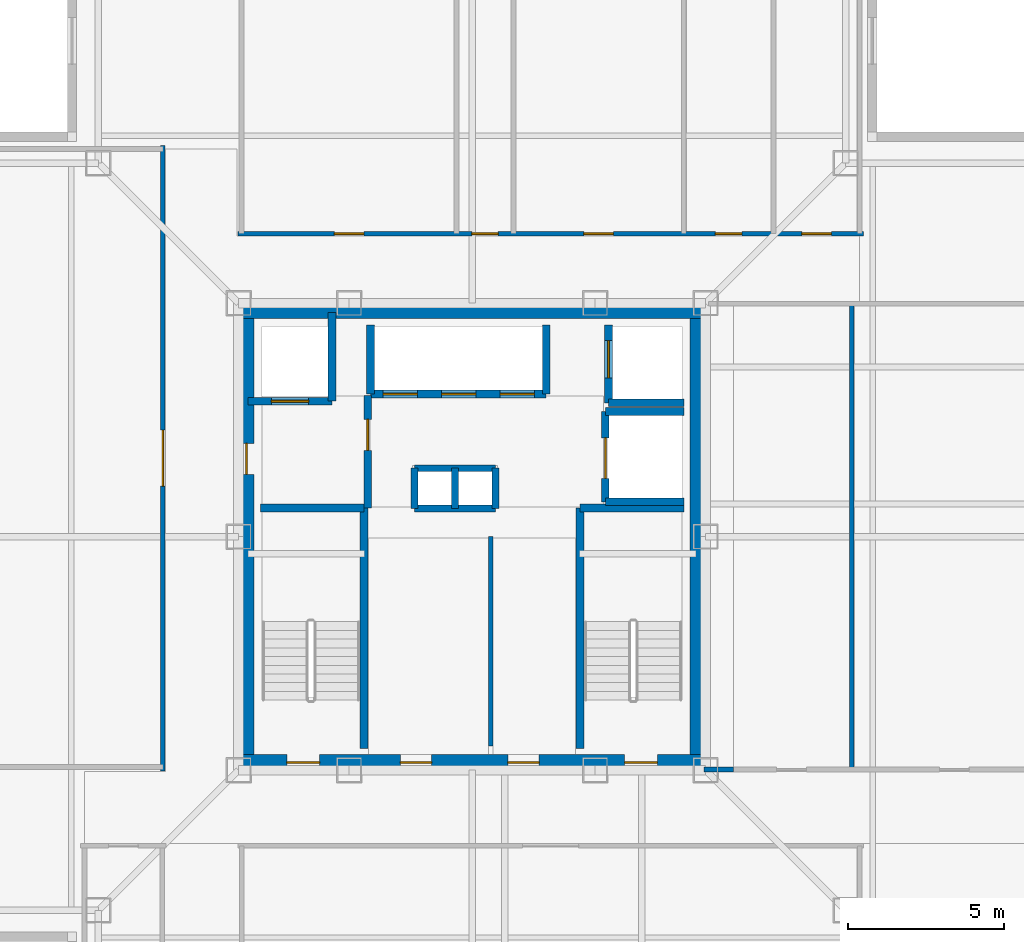
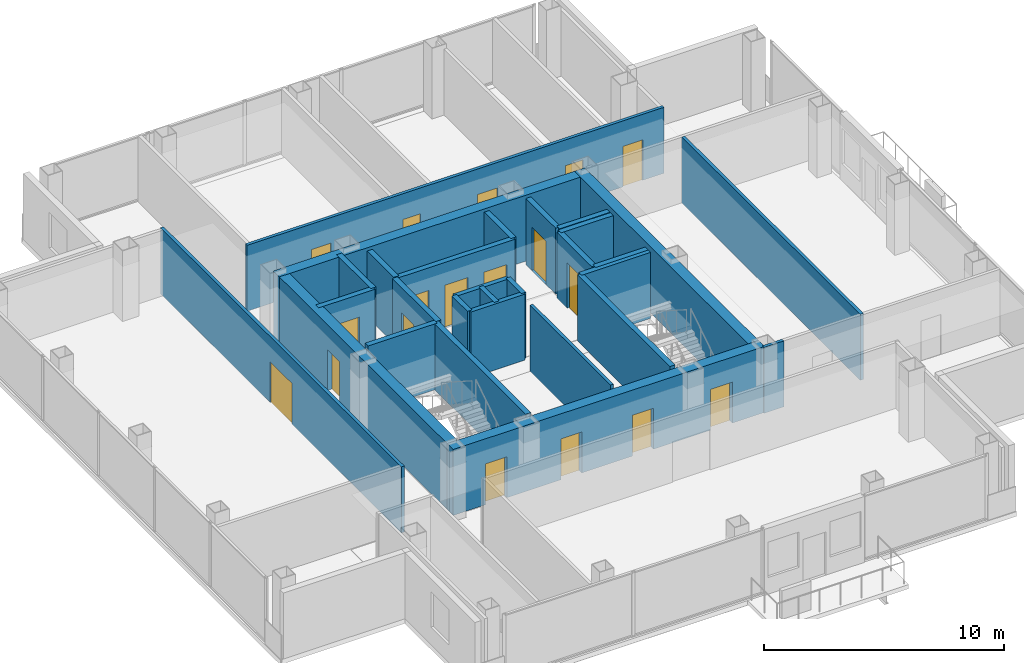
# One storey, part 8 of 15: 29 walls, 18 doors, 18 openings.
"""IFC4 building model written with IfcOpenShell, lengths in metres."""

from ifc_helpers import new_model, si_unit, direction, frame, frame_2d, origin, place, context, subcontext, project, spatial, rectangle, extrude, material, layer, layer_set, type_object, element, fill, save


model = new_model("IFC4")

# Units and contexts
model_context = context("Model", 3, precision=1e-05, world=origin(), true_north=direction((0.0, 1.0)))
body_context = subcontext(model_context, "Body", "Model", "MODEL_VIEW")
ifc_project = project(units=[si_unit("LENGTHUNIT", "METRE"), si_unit("AREAUNIT", "SQUARE_METRE"), si_unit("VOLUMEUNIT", "CUBIC_METRE"), si_unit("PLANEANGLEUNIT", "RADIAN"), si_unit("MASSUNIT", "GRAM", prefix="KILO")], contexts=[model_context])

# Site, building, storey
site_placement = place(None, origin())
site = spatial("IfcSite", under=ifc_project, at=site_placement, CompositionType="ELEMENT")
building_placement = place(site_placement, origin())
building = spatial("IfcBuilding", under=site, at=building_placement, Name="Trevonay Congress Spire", CompositionType="ELEMENT")
storey_placement = place(building_placement, frame((0.0, 0.0, 243.199951171875)))
storey = spatial("IfcBuildingStorey", under=building, at=storey_placement, Name="L63", CompositionType="ELEMENT", Elevation=243.199951171875)

# Wall, openings, doors
ifc_material_1 = material(Name="Concrete C50/60", Category="concrete")
ifc_layer_1 = layer(ifc_material_1, 0.5, Name="Concrete C50/60")
ifc_layer_set_1 = layer_set([ifc_layer_1], Name="Concrete C50/60")
wall_type_1 = type_object("IfcWallType", Name="WAL-CORE-500", PredefinedType="SHEAR", material=ifc_layer_set_1)
wall_1_placement = place(storey_placement, frame((-7.5, -7.25, 0.0), z_axis=(0.0, 0.0, 1.0), x_axis=(1.0, 0.0, 0.0)))
wall_1 = element("IfcWall", 1, at=wall_1_placement, inside=storey, type_object=wall_type_1, Name="L63 South structural core shear wall", PredefinedType="SHEAR", context=body_context, shape_type="SweptSolid", body=[
    extrude(rectangle(XDim=15.0, YDim=0.5, at=frame_2d((7.5, 0.0))), origin(), (0.0, 0.0, 1.0), 3.360107421875),
])
opening_1_placement = place(wall_1_placement, frame((1.550048828125, 0.0, 0.0)))
opening_1 = element("IfcOpeningElement", 2, at=opening_1_placement, cuts=wall_1, Name="Opening D05", PredefinedType="OPENING", context=body_context, shape_type="SweptSolid", body=[
    extrude(rectangle(XDim=1.050048828125, YDim=2.080078125, at=frame_2d((0.52490234375, 1.0400390625))), frame((0.0, 0.260009765625, 0.0), z_axis=(0.0, -1.0, 0.0), x_axis=(1.0, 0.0, 0.0)), (0.0, 0.0, 1.0), 0.52001953125),
])
opening_2_placement = place(wall_1_placement, frame((12.39990234375, 0.0, 0.0)))
opening_2 = element("IfcOpeningElement", 3, at=opening_2_placement, cuts=wall_1, Name="Opening D05", PredefinedType="OPENING", context=body_context, shape_type="SweptSolid", body=[
    extrude(rectangle(XDim=1.050048828125, YDim=2.080078125, at=frame_2d((0.52490234375, 1.0400390625))), frame((0.0, 0.260009765625, 0.0), z_axis=(0.0, -1.0, 0.0), x_axis=(1.0, 0.0, 0.0)), (0.0, 0.0, 1.0), 0.52001953125),
])
opening_3_placement = place(wall_1_placement, frame((5.199951171875, 0.0, 0.0)))
opening_3 = element("IfcOpeningElement", 4, at=opening_3_placement, cuts=wall_1, Name="Opening D06", PredefinedType="OPENING", context=body_context, shape_type="SweptSolid", body=[
    extrude(rectangle(XDim=1.0, YDim=2.080078125, at=frame_2d((0.5, 1.0400390625))), frame((0.0, 0.260009765625, 0.0), z_axis=(0.0, -1.0, 0.0), x_axis=(1.0, 0.0, 0.0)), (0.0, 0.0, 1.0), 0.52001953125),
])
opening_4_placement = place(wall_1_placement, frame((8.64990234375, 0.0, 0.0)))
opening_4 = element("IfcOpeningElement", 5, at=opening_4_placement, cuts=wall_1, Name="Opening D06", PredefinedType="OPENING", context=body_context, shape_type="SweptSolid", body=[
    extrude(rectangle(XDim=1.0, YDim=2.080078125, at=frame_2d((0.5, 1.0400390625))), frame((0.0, 0.260009765625, 0.0), z_axis=(0.0, -1.0, 0.0), x_axis=(1.0, 0.0, 0.0)), (0.0, 0.0, 1.0), 0.52001953125),
])
ifc_material_2 = material(Name="Steel ASTM A572 Grade 50", Category="steel")
door_type_1 = type_object("IfcDoorType", Name="DOR-FIRE-100", OperationType="NOTDEFINED", PredefinedType="DOOR", material=ifc_material_2)
door_1_placement = place(opening_3_placement, origin())
door_1 = element("IfcDoor", 6, at=door_1_placement, inside=storey, type_object=door_type_1, Name="L63 South Core Room 1 Door", OperationType="SINGLE_SWING_LEFT", OverallHeight=2.080078125, OverallWidth=1.0, PredefinedType="DOOR", context=body_context, shape_type="SweptSolid", body=[
    extrude(rectangle(XDim=1.0, YDim=2.080078125, at=frame_2d((0.5, 1.0400390625))), frame((0.0, 0.02490234375, 0.0), z_axis=(0.0, -1.0, 0.0), x_axis=(1.0, 0.0, 0.0)), (0.0, 0.0, 1.0), 0.050048828125),
])
fill(opening_3, door_1)
door_2_placement = place(opening_4_placement, origin())
door_2 = element("IfcDoor", 7, at=door_2_placement, inside=storey, type_object=door_type_1, Name="L63 South Core Room 2 Door", OperationType="SINGLE_SWING_RIGHT", OverallHeight=2.080078125, OverallWidth=1.0, PredefinedType="DOOR", context=body_context, shape_type="SweptSolid", body=[
    extrude(rectangle(XDim=1.0, YDim=2.080078125, at=frame_2d((0.5, 1.0400390625))), frame((0.0, 0.02490234375, 0.0), z_axis=(0.0, -1.0, 0.0), x_axis=(1.0, 0.0, 0.0)), (0.0, 0.0, 1.0), 0.050048828125),
])
fill(opening_4, door_2)
door_type_2 = type_object("IfcDoorType", Name="DOR-STAIR-110", OperationType="NOTDEFINED", PredefinedType="DOOR", material=ifc_material_2)
door_3_placement = place(opening_1_placement, origin())
door_3 = element("IfcDoor", 8, at=door_3_placement, inside=storey, type_object=door_type_2, Name="L63 Protected Stair ST-1 Door", OperationType="SINGLE_SWING_RIGHT", OverallHeight=2.080078125, OverallWidth=1.050048828125, PredefinedType="DOOR", context=body_context, shape_type="SweptSolid", body=[
    extrude(rectangle(XDim=1.050048828125, YDim=2.080078125, at=frame_2d((0.52490234375, 1.0400390625))), frame((0.0, 0.02490234375, 0.0), z_axis=(0.0, -1.0, 0.0), x_axis=(1.0, 0.0, 0.0)), (0.0, 0.0, 1.0), 0.050048828125),
])
fill(opening_1, door_3)
door_4_placement = place(opening_2_placement, origin())
door_4 = element("IfcDoor", 9, at=door_4_placement, inside=storey, type_object=door_type_2, Name="L63 Protected Stair ST-2 Door", OperationType="SINGLE_SWING_LEFT", OverallHeight=2.080078125, OverallWidth=1.050048828125, PredefinedType="DOOR", context=body_context, shape_type="SweptSolid", body=[
    extrude(rectangle(XDim=1.050048828125, YDim=2.080078125, at=frame_2d((0.52490234375, 1.0400390625))), frame((0.0, 0.02490234375, 0.0), z_axis=(0.0, -1.0, 0.0), x_axis=(1.0, 0.0, 0.0)), (0.0, 0.0, 1.0), 0.050048828125),
])
fill(opening_2, door_4)

# Wall
wall_2_placement = place(storey_placement, frame((-7.5, 7.25, 0.0), z_axis=(0.0, 0.0, 1.0), x_axis=(1.0, 0.0, 0.0)))
element("IfcWall", 10, at=wall_2_placement, inside=storey, type_object=wall_type_1, Name="L63 North structural core shear wall", PredefinedType="SHEAR", context=body_context, shape_type="SweptSolid", body=[
    extrude(rectangle(XDim=15.0, YDim=0.5, at=frame_2d((7.5, 0.0))), origin(), (0.0, 0.0, 1.0), 3.360107421875),
])

# Wall, opening, door
wall_3_placement = place(storey_placement, frame((-7.25, -7.5, 0.0), z_axis=(0.0, 0.0, 1.0), x_axis=(0.0, 1.0, 0.0)))
wall_3 = element("IfcWall", 11, at=wall_3_placement, inside=storey, type_object=wall_type_1, Name="L63 West structural core shear wall", PredefinedType="SHEAR", context=body_context, shape_type="SweptSolid", body=[
    extrude(rectangle(XDim=15.0, YDim=0.5, at=frame_2d((7.5, 0.0))), origin(), (0.0, 0.0, 1.0), 3.360107421875),
])
opening_5_placement = place(wall_3_placement, frame((9.5, 0.0, 0.0)))
opening_5 = element("IfcOpeningElement", 12, at=opening_5_placement, cuts=wall_3, Name="Opening D06", PredefinedType="OPENING", context=body_context, shape_type="SweptSolid", body=[
    extrude(rectangle(XDim=1.0, YDim=2.080078125, at=frame_2d((0.5, 1.0400390625))), frame((0.0, 0.260009765625, 0.0), z_axis=(0.0, -1.0, 0.0), x_axis=(1.0, 0.0, 0.0)), (0.0, 0.0, 1.0), 0.52001953125),
])
door_5_placement = place(opening_5_placement, origin())
door_5 = element("IfcDoor", 13, at=door_5_placement, inside=storey, type_object=door_type_1, Name="L63 Firefighting Lift Lobby West Corridor Door", OperationType="SINGLE_SWING_RIGHT", OverallHeight=2.080078125, OverallWidth=1.0, PredefinedType="DOOR", context=body_context, shape_type="SweptSolid", body=[
    extrude(rectangle(XDim=1.0, YDim=2.080078125, at=frame_2d((0.5, 1.0400390625))), frame((0.0, 0.02490234375, 0.0), z_axis=(0.0, -1.0, 0.0), x_axis=(1.0, 0.0, 0.0)), (0.0, 0.0, 1.0), 0.050048828125),
])
fill(opening_5, door_5)

# Wall
wall_4_placement = place(storey_placement, frame((7.25, -7.5, 0.0), z_axis=(0.0, 0.0, 1.0), x_axis=(0.0, 1.0, 0.0)))
element("IfcWall", 14, at=wall_4_placement, inside=storey, type_object=wall_type_1, Name="L63 East structural core shear wall", PredefinedType="SHEAR", context=body_context, shape_type="SweptSolid", body=[
    extrude(rectangle(XDim=15.0, YDim=0.5, at=frame_2d((7.5, 0.0))), origin(), (0.0, 0.0, 1.0), 3.360107421875),
])

# Wall, opening, door
ifc_material_3 = material(Name="Concrete C40/50", Category="concrete")
ifc_layer_2 = layer(ifc_material_3, 0.14990234375, Name="Concrete C40/50")
ifc_layer_set_2 = layer_set([ifc_layer_2], Name="Concrete C40/50")
wall_type_2 = type_object("IfcWallType", Name="WAL-CORR-150", PredefinedType="PARTITIONING", material=ifc_layer_set_2)
wall_5_placement = place(storey_placement, frame((-9.929931640625, -7.52001953125, 0.0), z_axis=(0.0, 0.0, 1.0), x_axis=(0.0, 1.0, 0.0)))
wall_5 = element("IfcWall", 15, at=wall_5_placement, inside=storey, type_object=wall_type_2, Name="L63 interior wall WP-L63NW-COR", PredefinedType="PARTITIONING", context=body_context, shape_type="SweptSolid", body=[
    extrude(rectangle(XDim=20.090087890625, YDim=0.14990234375, at=frame_2d((10.044921875, 0.0))), origin(), (0.0, 0.0, 1.0), 3.360107421875),
])
opening_6_placement = place(wall_5_placement, frame((9.14501953125, 0.0, 0.0)))
opening_6 = element("IfcOpeningElement", 16, at=opening_6_placement, cuts=wall_5, Name="Opening D09", PredefinedType="OPENING", context=body_context, shape_type="SweptSolid", body=[
    extrude(rectangle(XDim=1.800048828125, YDim=2.080078125, at=frame_2d((0.89990234375, 1.0400390625))), frame((0.0, 0.0849609375, 0.0), z_axis=(0.0, -1.0, 0.0), x_axis=(1.0, 0.0, 0.0)), (0.0, 0.0, 1.0), 0.169921875),
])
ifc_material_4 = material(Name="Pale Anodised Aluminium EN AW-6063-T6", Category="aluminium")
door_type_3 = type_object("IfcDoorType", Name="DOR-CONF-DBL", OperationType="DOUBLE_DOOR_SINGLE_SWING", PredefinedType="DOOR", material=ifc_material_4)
door_6_placement = place(opening_6_placement, origin())
door_6 = element("IfcDoor", 17, at=door_6_placement, inside=storey, type_object=door_type_3, Name="L63 Mercosur Ministerial Council Chamber Door", OperationType="DOUBLE_DOOR_SINGLE_SWING", OverallHeight=2.080078125, OverallWidth=1.800048828125, PredefinedType="DOOR", context=body_context, shape_type="SweptSolid", body=[
    extrude(rectangle(XDim=1.800048828125, YDim=2.080078125, at=frame_2d((0.89990234375, 1.0400390625))), frame((0.0, 0.02490234375, 0.0), z_axis=(0.0, -1.0, 0.0), x_axis=(1.0, 0.0, 0.0)), (0.0, 0.0, 1.0), 0.050048828125),
])
fill(opening_6, door_6)

# Wall, openings, doors
wall_6_placement = place(storey_placement, frame((-7.52001953125, 9.72998046875, 0.0), z_axis=(0.0, 0.0, 1.0), x_axis=(1.0, 0.0, 0.0)))
wall_6 = element("IfcWall", 18, at=wall_6_placement, inside=storey, type_object=wall_type_2, Name="L63 interior wall WP-L63N-COR", PredefinedType="PARTITIONING", context=body_context, shape_type="SweptSolid", body=[
    extrude(rectangle(XDim=20.090087890625, YDim=0.14990234375, at=frame_2d((10.044921875, 0.0))), origin(), (0.0, 0.0, 1.0), 3.360107421875),
])
opening_7_placement = place(wall_6_placement, frame((3.094970703125, 0.0, 0.0)))
opening_7 = element("IfcOpeningElement", 19, at=opening_7_placement, cuts=wall_6, Name="Opening D07", PredefinedType="OPENING", context=body_context, shape_type="SweptSolid", body=[
    extrude(rectangle(XDim=0.949951171875, YDim=2.06005859375, at=frame_2d((0.47509765625, 1.030029296875))), frame((0.0, 0.0849609375, 0.0), z_axis=(0.0, -1.0, 0.0), x_axis=(1.0, 0.0, 0.0)), (0.0, 0.0, 1.0), 0.169921875),
])
opening_8_placement = place(wall_6_placement, frame((7.510009765625, 0.0, 0.0)))
opening_8 = element("IfcOpeningElement", 20, at=opening_8_placement, cuts=wall_6, Name="Opening D10", PredefinedType="OPENING", context=body_context, shape_type="SweptSolid", body=[
    extrude(rectangle(XDim=0.85009765625, YDim=2.050048828125, at=frame_2d((0.425048828125, 1.02490234375))), frame((0.0, 0.0849609375, 0.0), z_axis=(0.0, -1.0, 0.0), x_axis=(1.0, 0.0, 0.0)), (0.0, 0.0, 1.0), 0.169921875),
])
opening_9_placement = place(wall_6_placement, frame((11.110107421875, 0.0, 0.0)))
opening_9 = element("IfcOpeningElement", 21, at=opening_9_placement, cuts=wall_6, Name="Opening D07", PredefinedType="OPENING", context=body_context, shape_type="SweptSolid", body=[
    extrude(rectangle(XDim=0.949951171875, YDim=2.06005859375, at=frame_2d((0.47509765625, 1.030029296875))), frame((0.0, 0.0849609375, 0.0), z_axis=(0.0, -1.0, 0.0), x_axis=(1.0, 0.0, 0.0)), (0.0, 0.0, 1.0), 0.169921875),
])
opening_10_placement = place(wall_6_placement, frame((15.3349609375, 0.0, 0.0)))
opening_10 = element("IfcOpeningElement", 22, at=opening_10_placement, cuts=wall_6, Name="Opening D10", PredefinedType="OPENING", context=body_context, shape_type="SweptSolid", body=[
    extrude(rectangle(XDim=0.85009765625, YDim=2.050048828125, at=frame_2d((0.425048828125, 1.02490234375))), frame((0.0, 0.0849609375, 0.0), z_axis=(0.0, -1.0, 0.0), x_axis=(1.0, 0.0, 0.0)), (0.0, 0.0, 1.0), 0.169921875),
])
opening_11_placement = place(wall_6_placement, frame((18.110107421875, 0.0, 0.0)))
opening_11 = element("IfcOpeningElement", 23, at=opening_11_placement, cuts=wall_6, Name="Opening D07", PredefinedType="OPENING", context=body_context, shape_type="SweptSolid", body=[
    extrude(rectangle(XDim=0.949951171875, YDim=2.06005859375, at=frame_2d((0.47509765625, 1.030029296875))), frame((0.0, 0.0849609375, 0.0), z_axis=(0.0, -1.0, 0.0), x_axis=(1.0, 0.0, 0.0)), (0.0, 0.0, 1.0), 0.169921875),
])
door_type_4 = type_object("IfcDoorType", Name="DOR-OFFICE-95", OperationType="NOTDEFINED", PredefinedType="DOOR", material=ifc_material_4)
door_7_placement = place(opening_7_placement, origin())
door_7 = element("IfcDoor", 24, at=door_7_placement, inside=storey, type_object=door_type_4, Name="L63 Simultaneous Translation Office Door", OperationType="SINGLE_SWING_LEFT", OverallHeight=2.06005859375, OverallWidth=0.949951171875, PredefinedType="DOOR", context=body_context, shape_type="SweptSolid", body=[
    extrude(rectangle(XDim=0.949951171875, YDim=2.06005859375, at=frame_2d((0.47509765625, 1.030029296875))), frame((0.0, 0.02490234375, 0.0), z_axis=(0.0, -1.0, 0.0), x_axis=(1.0, 0.0, 0.0)), (0.0, 0.0, 1.0), 0.050048828125),
])
fill(opening_7, door_7)
door_8_placement = place(opening_9_placement, origin())
door_8 = element("IfcDoor", 25, at=door_8_placement, inside=storey, type_object=door_type_4, Name="L63 Floor Supplies and Copy Room Door", OperationType="SINGLE_SWING_LEFT", OverallHeight=2.06005859375, OverallWidth=0.949951171875, PredefinedType="DOOR", context=body_context, shape_type="SweptSolid", body=[
    extrude(rectangle(XDim=0.949951171875, YDim=2.06005859375, at=frame_2d((0.47509765625, 1.030029296875))), frame((0.0, 0.02490234375, 0.0), z_axis=(0.0, -1.0, 0.0), x_axis=(1.0, 0.0, 0.0)), (0.0, 0.0, 1.0), 0.050048828125),
])
fill(opening_9, door_8)
door_9_placement = place(opening_11_placement, origin())
door_9 = element("IfcDoor", 26, at=door_9_placement, inside=storey, type_object=door_type_4, Name="L63 Floor Supplies and Copy Room Door", OperationType="SINGLE_SWING_LEFT", OverallHeight=2.06005859375, OverallWidth=0.949951171875, PredefinedType="DOOR", context=body_context, shape_type="SweptSolid", body=[
    extrude(rectangle(XDim=0.949951171875, YDim=2.06005859375, at=frame_2d((0.47509765625, 1.030029296875))), frame((0.0, 0.02490234375, 0.0), z_axis=(0.0, -1.0, 0.0), x_axis=(1.0, 0.0, 0.0)), (0.0, 0.0, 1.0), 0.050048828125),
])
fill(opening_11, door_9)
door_type_5 = type_object("IfcDoorType", Name="DOR-WC-85", OperationType="NOTDEFINED", PredefinedType="DOOR", material=ifc_material_4)
door_10_placement = place(opening_8_placement, origin())
door_10 = element("IfcDoor", 27, at=door_10_placement, inside=storey, type_object=door_type_5, Name="L63 Accessible WC Door", OperationType="SINGLE_SWING_RIGHT", OverallHeight=2.050048828125, OverallWidth=0.85009765625, PredefinedType="DOOR", context=body_context, shape_type="SweptSolid", body=[
    extrude(rectangle(XDim=0.85009765625, YDim=2.050048828125, at=frame_2d((0.425048828125, 1.02490234375))), frame((0.0, 0.02490234375, 0.0), z_axis=(0.0, -1.0, 0.0), x_axis=(1.0, 0.0, 0.0)), (0.0, 0.0, 1.0), 0.050048828125),
])
fill(opening_8, door_10)
door_11_placement = place(opening_10_placement, origin())
door_11 = element("IfcDoor", 28, at=door_11_placement, inside=storey, type_object=door_type_5, Name="L63 Female Restroom WC Door", OperationType="SINGLE_SWING_RIGHT", OverallHeight=2.050048828125, OverallWidth=0.85009765625, PredefinedType="DOOR", context=body_context, shape_type="SweptSolid", body=[
    extrude(rectangle(XDim=0.85009765625, YDim=2.050048828125, at=frame_2d((0.425048828125, 1.02490234375))), frame((0.0, 0.02490234375, 0.0), z_axis=(0.0, -1.0, 0.0), x_axis=(1.0, 0.0, 0.0)), (0.0, 0.0, 1.0), 0.050048828125),
])
fill(opening_10, door_11)

# Walls
wall_7_placement = place(storey_placement, frame((7.449951171875, -7.47998046875, 0.0), z_axis=(0.0, 0.0, 1.0), x_axis=(1.0, 0.0, 0.0)))
element("IfcWall", 29, at=wall_7_placement, inside=storey, type_object=wall_type_2, Name="L63 interior wall WP-L63E-STUB", PredefinedType="PARTITIONING", context=body_context, shape_type="SweptSolid", body=[
    extrude(rectangle(XDim=0.949951171875, YDim=0.14990234375, at=frame_2d((0.47509765625, 0.0))), origin(), (0.0, 0.0, 1.0), 3.360107421875),
])
ifc_layer_3 = layer(ifc_material_3, 0.14990234375, Name="Concrete C40/50")
ifc_layer_set_3 = layer_set([ifc_layer_3], Name="Concrete C40/50")
wall_type_3 = type_object("IfcWallType", Name="WAL-PART-150", PredefinedType="PARTITIONING", material=ifc_layer_set_3)
wall_8_placement = place(storey_placement, frame((0.60009765625, -6.719970703125, 0.0), z_axis=(0.0, 0.0, 1.0), x_axis=(0.0, 1.0, 0.0)))
element("IfcWall", 30, at=wall_8_placement, inside=storey, type_object=wall_type_3, Name="L63 interior wall CW-F1V-L63", PredefinedType="PARTITIONING", context=body_context, shape_type="SweptSolid", body=[
    extrude(rectangle(XDim=6.719970703125, YDim=0.14990234375, at=frame_2d((3.35986328125, 0.0))), origin(), (0.0, 0.0, 1.0), 3.360107421875),
])
wall_9_placement = place(storey_placement, frame((12.199951171875, -7.47998046875, 0.0), z_axis=(0.0, 0.0, 1.0), x_axis=(0.0, 1.0, 0.0)))
element("IfcWall", 31, at=wall_9_placement, inside=storey, type_object=wall_type_3, Name="L63 interior wall WP-L63E-DIV1", PredefinedType="PARTITIONING", context=body_context, shape_type="SweptSolid", body=[
    extrude(rectangle(XDim=14.89990234375, YDim=0.14990234375, at=frame_2d((7.449951171875, 0.0))), origin(), (0.0, 0.0, 1.0), 3.360107421875),
])
ifc_layer_4 = layer(ifc_material_3, 0.219970703125, Name="Concrete C40/50")
ifc_layer_set_4 = layer_set([ifc_layer_4], Name="Concrete C40/50")
wall_type_4 = type_object("IfcWallType", Name="WAL-SHAFT-220", PredefinedType="PARTITIONING", material=ifc_layer_set_4)
for number, where, z_axis, x_axis, name in (
    (32, (-1.85009765625, 2.199951171875, 0.0), (0.0, 0.0, 1.0), (1.0, 0.0, 0.0), "L63 interior shaft wall WSH-L63-RSR-N"),
    (33, (-1.85009765625, 0.89990234375, 0.0), (0.0, 0.0, 1.0), (1.0, 0.0, 0.0), "L63 interior shaft wall WSH-L63-RSR-S"),
):
    element("IfcWall", number, at=place(storey_placement, frame(where, z_axis=z_axis, x_axis=x_axis)), inside=storey, type_object=wall_type_4, Name=name, PredefinedType="PARTITIONING", context=body_context, shape_type="SweptSolid", body=[
        extrude(rectangle(XDim=2.60009765625, YDim=0.219970703125, at=frame_2d((1.300048828125, 0.0))), origin(), (0.0, 0.0, 1.0), 3.360107421875),
    ])
for number, where, z_axis, x_axis, name in (
    (34, (-0.550048828125, 0.89990234375, 0.0), (0.0, 0.0, 1.0), (0.0, 1.0, 0.0), "L63 interior shaft wall WSH-L63-RSR-M"),
    (35, (0.75, 0.89990234375, 0.0), (0.0, 0.0, 1.0), (0.0, 1.0, 0.0), "L63 interior shaft wall WSH-L63-RSR-E"),
    (36, (-1.85009765625, 0.89990234375, 0.0), (0.0, 0.0, 1.0), (0.0, 1.0, 0.0), "L63 interior shaft wall WSH-L63-RSR-W"),
):
    element("IfcWall", number, at=place(storey_placement, frame(where, z_axis=z_axis, x_axis=x_axis)), inside=storey, type_object=wall_type_4, Name=name, PredefinedType="PARTITIONING", context=body_context, shape_type="SweptSolid", body=[
        extrude(rectangle(XDim=1.300048828125, YDim=0.219970703125, at=frame_2d((0.64990234375, 0.0))), origin(), (0.0, 0.0, 1.0), 3.360107421875),
    ])

# Wall, openings, doors
ifc_layer_5 = layer(ifc_material_3, 0.25, Name="Concrete C40/50")
ifc_layer_set_5 = layer_set([ifc_layer_5], Name="Concrete C40/50")
wall_type_5 = type_object("IfcWallType", Name="WAL-SHAFT-250", PredefinedType="SHEAR", material=ifc_layer_set_5)
wall_10_placement = place(storey_placement, frame((-3.260009765625, 4.580078125, 0.0), z_axis=(0.0, 0.0, 1.0), x_axis=(1.0, 0.0, 0.0)))
wall_10 = element("IfcWall", 37, at=wall_10_placement, inside=storey, type_object=wall_type_5, Name="L63 interior shaft wall WSH-L63-B3-S", PredefinedType="SHEAR", context=body_context, shape_type="SweptSolid", body=[
    extrude(rectangle(XDim=5.639892578125, YDim=0.25, at=frame_2d((2.81982421875, 0.0))), origin(), (0.0, 0.0, 1.0), 3.360107421875),
])
opening_12_placement = place(wall_10_placement, frame((0.39990234375, 0.0, 0.0)))
opening_12 = element("IfcOpeningElement", 38, at=opening_12_placement, cuts=wall_10, Name="Opening LD03", PredefinedType="OPENING", context=body_context, shape_type="SweptSolid", body=[
    extrude(rectangle(XDim=1.10009765625, YDim=2.199951171875, at=frame_2d((0.550048828125, 1.10009765625))), frame((0.0, 0.135009765625, 0.0), z_axis=(0.0, -1.0, 0.0), x_axis=(1.0, 0.0, 0.0)), (0.0, 0.0, 1.0), 0.27001953125),
])
opening_13_placement = place(wall_10_placement, frame((2.280029296875, 0.0, 0.0)))
opening_13 = element("IfcOpeningElement", 39, at=opening_13_placement, cuts=wall_10, Name="Opening LD03", PredefinedType="OPENING", context=body_context, shape_type="SweptSolid", body=[
    extrude(rectangle(XDim=1.10009765625, YDim=2.199951171875, at=frame_2d((0.550048828125, 1.10009765625))), frame((0.0, 0.135009765625, 0.0), z_axis=(0.0, -1.0, 0.0), x_axis=(1.0, 0.0, 0.0)), (0.0, 0.0, 1.0), 0.27001953125),
])
opening_14_placement = place(wall_10_placement, frame((4.159912109375, 0.0, 0.0)))
opening_14 = element("IfcOpeningElement", 40, at=opening_14_placement, cuts=wall_10, Name="Opening LD03", PredefinedType="OPENING", context=body_context, shape_type="SweptSolid", body=[
    extrude(rectangle(XDim=1.10009765625, YDim=2.199951171875, at=frame_2d((0.550048828125, 1.10009765625))), frame((0.0, 0.135009765625, 0.0), z_axis=(0.0, -1.0, 0.0), x_axis=(1.0, 0.0, 0.0)), (0.0, 0.0, 1.0), 0.27001953125),
])
door_type_6 = type_object("IfcDoorType", Name="DOR-LIFT-LD03", OperationType="DOUBLE_DOOR_SLIDING", PredefinedType="DOOR", material=ifc_material_4)
door_12_placement = place(opening_12_placement, origin())
door_12 = element("IfcDoor", 41, at=door_12_placement, inside=storey, type_object=door_type_6, Name="L63 Passenger lift PL-07 landing door", OperationType="DOUBLE_DOOR_SLIDING", OverallHeight=2.199951171875, OverallWidth=1.10009765625, PredefinedType="DOOR", context=body_context, shape_type="SweptSolid", body=[
    extrude(rectangle(XDim=1.10009765625, YDim=2.199951171875, at=frame_2d((0.550048828125, 1.10009765625))), frame((0.0, 0.02490234375, 0.0), z_axis=(0.0, -1.0, 0.0), x_axis=(1.0, 0.0, 0.0)), (0.0, 0.0, 1.0), 0.050048828125),
])
fill(opening_12, door_12)
door_13_placement = place(opening_13_placement, origin())
door_13 = element("IfcDoor", 42, at=door_13_placement, inside=storey, type_object=door_type_6, Name="L63 Passenger lift PL-08 landing door", OperationType="DOUBLE_DOOR_SLIDING", OverallHeight=2.199951171875, OverallWidth=1.10009765625, PredefinedType="DOOR", context=body_context, shape_type="SweptSolid", body=[
    extrude(rectangle(XDim=1.10009765625, YDim=2.199951171875, at=frame_2d((0.550048828125, 1.10009765625))), frame((0.0, 0.02490234375, 0.0), z_axis=(0.0, -1.0, 0.0), x_axis=(1.0, 0.0, 0.0)), (0.0, 0.0, 1.0), 0.050048828125),
])
fill(opening_13, door_13)
door_14_placement = place(opening_14_placement, origin())
door_14 = element("IfcDoor", 43, at=door_14_placement, inside=storey, type_object=door_type_6, Name="L63 Passenger lift PL-09 landing door", OperationType="DOUBLE_DOOR_SLIDING", OverallHeight=2.199951171875, OverallWidth=1.10009765625, PredefinedType="DOOR", context=body_context, shape_type="SweptSolid", body=[
    extrude(rectangle(XDim=1.10009765625, YDim=2.199951171875, at=frame_2d((0.550048828125, 1.10009765625))), frame((0.0, 0.02490234375, 0.0), z_axis=(0.0, -1.0, 0.0), x_axis=(1.0, 0.0, 0.0)), (0.0, 0.0, 1.0), 0.050048828125),
])
fill(opening_14, door_14)

# Walls
for number, where, z_axis, x_axis, name in (
    (44, (-3.260009765625, 4.580078125, 0.0), (0.0, 0.0, 1.0), (0.0, 1.0, 0.0), "L63 interior shaft wall WSH-L63-B3-W"),
    (45, (2.3798828125, 4.580078125, 0.0), (0.0, 0.0, 1.0), (0.0, 1.0, 0.0), "L63 interior shaft wall WSH-L63-B3-E"),
):
    element("IfcWall", number, at=place(storey_placement, frame(where, z_axis=z_axis, x_axis=x_axis)), inside=storey, type_object=wall_type_5, Name=name, PredefinedType="SHEAR", context=body_context, shape_type="SweptSolid", body=[
        extrude(rectangle(XDim=2.219970703125, YDim=0.25, at=frame_2d((1.10986328125, 0.0))), origin(), (0.0, 0.0, 1.0), 3.360107421875),
    ])

# Wall, opening, door
wall_11_placement = place(storey_placement, frame((-7.199951171875, 4.35009765625, 0.0), z_axis=(0.0, 0.0, 1.0), x_axis=(1.0, 0.0, 0.0)))
wall_11 = element("IfcWall", 46, at=wall_11_placement, inside=storey, type_object=wall_type_5, Name="L63 interior shaft wall WSH-L63-FF1-S", PredefinedType="SHEAR", context=body_context, shape_type="SweptSolid", body=[
    extrude(rectangle(XDim=2.699951171875, YDim=0.25, at=frame_2d((1.35009765625, 0.0))), origin(), (0.0, 0.0, 1.0), 3.360107421875),
])
opening_15_placement = place(wall_11_placement, frame((0.75, 0.0, 0.0)))
opening_15 = element("IfcOpeningElement", 47, at=opening_15_placement, cuts=wall_11, Name="Opening LD04", PredefinedType="OPENING", context=body_context, shape_type="SweptSolid", body=[
    extrude(rectangle(XDim=1.199951171875, YDim=2.199951171875, at=frame_2d((0.60009765625, 1.10009765625))), frame((0.0, 0.135009765625, 0.0), z_axis=(0.0, -1.0, 0.0), x_axis=(1.0, 0.0, 0.0)), (0.0, 0.0, 1.0), 0.27001953125),
])
door_type_7 = type_object("IfcDoorType", Name="DOR-LIFT-LD04", OperationType="DOUBLE_DOOR_SLIDING", PredefinedType="DOOR", material=ifc_material_2)
door_15_placement = place(opening_15_placement, origin())
door_15 = element("IfcDoor", 48, at=door_15_placement, inside=storey, type_object=door_type_7, Name="L63 Firefighting lift FFL-01 landing door", OperationType="DOUBLE_DOOR_SLIDING", OverallHeight=2.199951171875, OverallWidth=1.199951171875, PredefinedType="DOOR", context=body_context, shape_type="SweptSolid", body=[
    extrude(rectangle(XDim=1.199951171875, YDim=2.199951171875, at=frame_2d((0.60009765625, 1.10009765625))), frame((0.0, 0.02490234375, 0.0), z_axis=(0.0, -1.0, 0.0), x_axis=(1.0, 0.0, 0.0)), (0.0, 0.0, 1.0), 0.050048828125),
])
fill(opening_15, door_15)

# Walls
wall_12_placement = place(storey_placement, frame((-4.5, 4.35009765625, 0.0), z_axis=(0.0, 0.0, 1.0), x_axis=(0.0, 1.0, 0.0)))
element("IfcWall", 49, at=wall_12_placement, inside=storey, type_object=wall_type_5, Name="L63 interior shaft wall WSH-L63-FF1-E", PredefinedType="SHEAR", context=body_context, shape_type="SweptSolid", body=[
    extrude(rectangle(XDim=2.849853515625, YDim=0.25, at=frame_2d((1.4248046875, 0.0))), origin(), (0.0, 0.0, 1.0), 3.360107421875),
])
wall_13_placement = place(storey_placement, frame((4.3798828125, 4.300048828125, 0.0), z_axis=(0.0, 0.0, 1.0), x_axis=(1.0, 0.0, 0.0)))
element("IfcWall", 50, at=wall_13_placement, inside=storey, type_object=wall_type_5, Name="L63 interior shaft wall WSH-L63-FF2-S", PredefinedType="SHEAR", context=body_context, shape_type="SweptSolid", body=[
    extrude(rectangle(XDim=2.420166015625, YDim=0.25, at=frame_2d((1.2099609375, 0.0))), origin(), (0.0, 0.0, 1.0), 3.360107421875),
])

# Wall, opening, door
wall_14_placement = place(storey_placement, frame((4.3798828125, 4.300048828125, 0.0), z_axis=(0.0, 0.0, 1.0), x_axis=(0.0, 1.0, 0.0)))
wall_14 = element("IfcWall", 51, at=wall_14_placement, inside=storey, type_object=wall_type_5, Name="L63 interior shaft wall WSH-L63-FF2-W", PredefinedType="SHEAR", context=body_context, shape_type="SweptSolid", body=[
    extrude(rectangle(XDim=2.5, YDim=0.25, at=frame_2d((1.25, 0.0))), origin(), (0.0, 0.0, 1.0), 3.360107421875),
])
opening_16_placement = place(wall_14_placement, frame((0.800048828125, 0.0, 0.0)))
opening_16 = element("IfcOpeningElement", 52, at=opening_16_placement, cuts=wall_14, Name="Opening LD04", PredefinedType="OPENING", context=body_context, shape_type="SweptSolid", body=[
    extrude(rectangle(XDim=1.199951171875, YDim=2.199951171875, at=frame_2d((0.60009765625, 1.10009765625))), frame((0.0, 0.135009765625, 0.0), z_axis=(0.0, -1.0, 0.0), x_axis=(1.0, 0.0, 0.0)), (0.0, 0.0, 1.0), 0.27001953125),
])
door_16_placement = place(opening_16_placement, origin())
door_16 = element("IfcDoor", 53, at=door_16_placement, inside=storey, type_object=door_type_7, Name="L63 Firefighting lift FFL-02 landing door", OperationType="DOUBLE_DOOR_SLIDING", OverallHeight=2.199951171875, OverallWidth=1.199951171875, PredefinedType="DOOR", context=body_context, shape_type="SweptSolid", body=[
    extrude(rectangle(XDim=1.199951171875, YDim=2.199951171875, at=frame_2d((0.60009765625, 1.10009765625))), frame((0.0, 0.02490234375, 0.0), z_axis=(0.0, -1.0, 0.0), x_axis=(1.0, 0.0, 0.0)), (0.0, 0.0, 1.0), 0.050048828125),
])
fill(opening_16, door_16)

wall_15_placement = place(storey_placement, frame((4.280029296875, 1.1201171875, 0.0), z_axis=(0.0, 0.0, 1.0), x_axis=(0.0, 1.0, 0.0)))
wall_15 = element("IfcWall", 54, at=wall_15_placement, inside=storey, type_object=wall_type_5, Name="L63 interior shaft wall WSH-L63-SV-W", PredefinedType="SHEAR", context=body_context, shape_type="SweptSolid", body=[
    extrude(rectangle(XDim=2.89990234375, YDim=0.25, at=frame_2d((1.449951171875, 0.0))), origin(), (0.0, 0.0, 1.0), 3.360107421875),
])
opening_17_placement = place(wall_15_placement, frame((0.75, 0.0, 0.0)))
opening_17 = element("IfcOpeningElement", 55, at=opening_17_placement, cuts=wall_15, Name="Opening LD05", PredefinedType="OPENING", context=body_context, shape_type="SweptSolid", body=[
    extrude(rectangle(XDim=1.300048828125, YDim=2.300048828125, at=frame_2d((0.64990234375, 1.14990234375))), frame((0.0, 0.135009765625, 0.0), z_axis=(0.0, -1.0, 0.0), x_axis=(1.0, 0.0, 0.0)), (0.0, 0.0, 1.0), 0.27001953125),
])
door_type_8 = type_object("IfcDoorType", Name="DOR-LIFT-LD05", OperationType="DOUBLE_DOOR_SLIDING", PredefinedType="DOOR", material=ifc_material_2)
door_17_placement = place(opening_17_placement, origin())
door_17 = element("IfcDoor", 56, at=door_17_placement, inside=storey, type_object=door_type_8, Name="L63 Goods lift SVL-01 landing door", OperationType="DOUBLE_DOOR_SLIDING", OverallHeight=2.300048828125, OverallWidth=1.300048828125, PredefinedType="DOOR", context=body_context, shape_type="SweptSolid", body=[
    extrude(rectangle(XDim=1.300048828125, YDim=2.300048828125, at=frame_2d((0.64990234375, 1.14990234375))), frame((0.0, 0.02490234375, 0.0), z_axis=(0.0, -1.0, 0.0), x_axis=(1.0, 0.0, 0.0)), (0.0, 0.0, 1.0), 0.050048828125),
])
fill(opening_17, door_17)

# Walls
for number, where, z_axis, x_axis, name in (
    (57, (4.280029296875, 1.1201171875, 0.0), (0.0, 0.0, 1.0), (1.0, 0.0, 0.0), "L63 interior shaft wall WSH-L63-SV-S"),
    (58, (4.280029296875, 4.02001953125, 0.0), (0.0, 0.0, 1.0), (1.0, 0.0, 0.0), "L63 interior shaft wall WSH-L63-SV-N"),
):
    element("IfcWall", number, at=place(storey_placement, frame(where, z_axis=z_axis, x_axis=x_axis)), inside=storey, type_object=wall_type_5, Name=name, PredefinedType="SHEAR", context=body_context, shape_type="SweptSolid", body=[
        extrude(rectangle(XDim=2.52001953125, YDim=0.25, at=frame_2d((1.260009765625, 0.0))), origin(), (0.0, 0.0, 1.0), 3.360107421875),
    ])

# Wall, opening, door
wall_16_placement = place(storey_placement, frame((-3.35009765625, 0.919921875, 0.0), z_axis=(0.0, 0.0, 1.0), x_axis=(0.0, 1.0, 0.0)))
wall_16 = element("IfcWall", 59, at=wall_16_placement, inside=storey, type_object=wall_type_5, Name="L63 interior wall CW-FFLW-E-L63", PredefinedType="SHEAR", context=body_context, shape_type="SweptSolid", body=[
    extrude(rectangle(XDim=3.6201171875, YDim=0.25, at=frame_2d((1.81005859375, 0.0))), origin(), (0.0, 0.0, 1.0), 3.360107421875),
])
opening_18_placement = place(wall_16_placement, frame((1.85009765625, 0.0, 0.0)))
opening_18 = element("IfcOpeningElement", 60, at=opening_18_placement, cuts=wall_16, Name="Opening D06", PredefinedType="OPENING", context=body_context, shape_type="SweptSolid", body=[
    extrude(rectangle(XDim=1.0, YDim=2.080078125, at=frame_2d((0.5, 1.0400390625))), frame((0.0, 0.135009765625, 0.0), z_axis=(0.0, -1.0, 0.0), x_axis=(1.0, 0.0, 0.0)), (0.0, 0.0, 1.0), 0.27001953125),
])
door_18_placement = place(opening_18_placement, origin())
door_18 = element("IfcDoor", 61, at=door_18_placement, inside=storey, type_object=door_type_1, Name="L63 Firefighting Core Lobby Transfer Door", OperationType="SINGLE_SWING_LEFT", OverallHeight=2.080078125, OverallWidth=1.0, PredefinedType="DOOR", context=body_context, shape_type="SweptSolid", body=[
    extrude(rectangle(XDim=1.0, YDim=2.080078125, at=frame_2d((0.5, 1.0400390625))), frame((0.0, 0.02490234375, 0.0), z_axis=(0.0, -1.0, 0.0), x_axis=(1.0, 0.0, 0.0)), (0.0, 0.0, 1.0), 0.050048828125),
])
fill(opening_18, door_18)

# Walls
ifc_layer_6 = layer(ifc_material_3, 0.25, Name="Concrete C40/50")
ifc_layer_set_6 = layer_set([ifc_layer_6], Name="Concrete C40/50")
wall_type_6 = type_object("IfcWallType", Name="WAL-SHAFT-LB-250", PredefinedType="SHEAR", material=ifc_layer_set_6)
wall_17_placement = place(storey_placement, frame((-3.469970703125, -6.800048828125, 0.0), z_axis=(0.0, 0.0, 1.0), x_axis=(0.0, 1.0, 0.0)))
element("IfcWall", 62, at=wall_17_placement, inside=storey, type_object=wall_type_6, Name="L63 interior shaft wall WSH-L63-ST1-E", PredefinedType="SHEAR", context=body_context, shape_type="SweptSolid", body=[
    extrude(rectangle(XDim=7.719970703125, YDim=0.25, at=frame_2d((3.85986328125, 0.0))), origin(), (0.0, 0.0, 1.0), 3.360107421875),
])
wall_18_placement = place(storey_placement, frame((-6.800048828125, 0.919921875, 0.0), z_axis=(0.0, 0.0, 1.0), x_axis=(1.0, 0.0, 0.0)))
element("IfcWall", 63, at=wall_18_placement, inside=storey, type_object=wall_type_6, Name="L63 interior shaft wall WSH-L63-ST1-N", PredefinedType="SHEAR", context=body_context, shape_type="SweptSolid", body=[
    extrude(rectangle(XDim=3.330078125, YDim=0.25, at=frame_2d((1.6650390625, 0.0))), origin(), (0.0, 0.0, 1.0), 3.360107421875),
])
wall_19_placement = place(storey_placement, frame((3.469970703125, -6.800048828125, 0.0), z_axis=(0.0, 0.0, 1.0), x_axis=(0.0, 1.0, 0.0)))
element("IfcWall", 64, at=wall_19_placement, inside=storey, type_object=wall_type_6, Name="L63 interior shaft wall WSH-L63-ST2-W", PredefinedType="SHEAR", context=body_context, shape_type="SweptSolid", body=[
    extrude(rectangle(XDim=7.719970703125, YDim=0.25, at=frame_2d((3.85986328125, 0.0))), origin(), (0.0, 0.0, 1.0), 3.360107421875),
])
wall_20_placement = place(storey_placement, frame((3.469970703125, 0.919921875, 0.0), z_axis=(0.0, 0.0, 1.0), x_axis=(1.0, 0.0, 0.0)))
element("IfcWall", 65, at=wall_20_placement, inside=storey, type_object=wall_type_6, Name="L63 interior shaft wall WSH-L63-ST2-N", PredefinedType="SHEAR", context=body_context, shape_type="SweptSolid", body=[
    extrude(rectangle(XDim=3.330078125, YDim=0.25, at=frame_2d((1.6650390625, 0.0))), origin(), (0.0, 0.0, 1.0), 3.360107421875),
])

save(model, "model.ifc")
